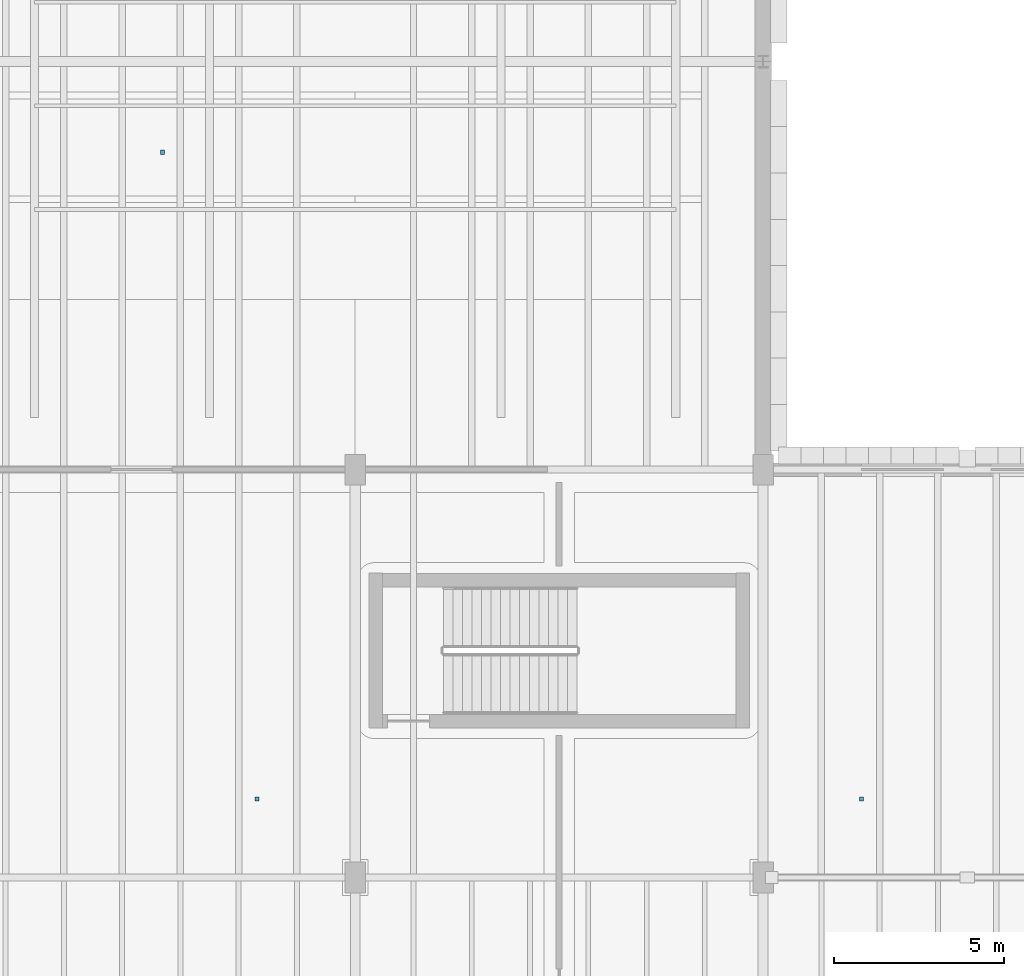
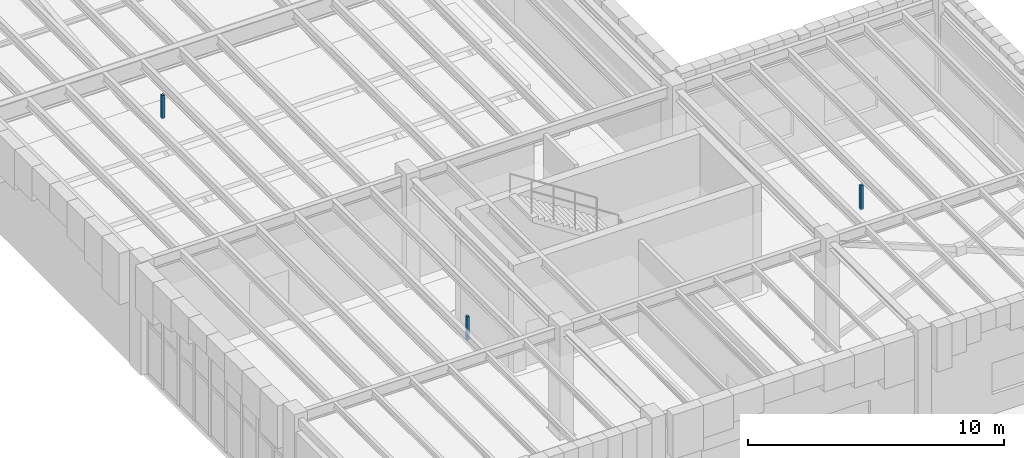
# One storey, part 60 of 103: 3 discrete accessories.
"""IFC4 building model written with IfcOpenShell, lengths in metres."""

from ifc_helpers import new_model, si_unit, direction, frame, origin, origin_2d, place, context, subcontext, project, spatial, rectangle, extrude, material, type_object, element, save


model = new_model("IFC4")

# Units and contexts
model_context = context("Model", 3, precision=1e-05, world=origin(), true_north=direction((0.0, 1.0)))
body_context = subcontext(model_context, "Body", "Model", "MODEL_VIEW")
ifc_project = project(units=[si_unit("LENGTHUNIT", "METRE"), si_unit("AREAUNIT", "SQUARE_METRE"), si_unit("VOLUMEUNIT", "CUBIC_METRE"), si_unit("PLANEANGLEUNIT", "RADIAN"), si_unit("MASSUNIT", "GRAM", prefix="KILO")], contexts=[model_context])

# Site, building, storey
site_placement = place(None, origin())
site = spatial("IfcSite", under=ifc_project, at=site_placement, CompositionType="ELEMENT")
building_placement = place(site_placement, origin())
building = spatial("IfcBuilding", under=site, at=building_placement, Name="Zlatogorsky Bluff Art Gallery", CompositionType="ELEMENT")
storey_placement = place(building_placement, origin())
storey = spatial("IfcBuildingStorey", under=building, at=storey_placement, Name="L00", CompositionType="ELEMENT", Elevation=0.0)

# Discrete accessories
ifc_material = material(Name="Steel S355", Category="steel")
discrete_accessory_type = type_object("IfcDiscreteAccessoryType", Name="Stainless Facade Fin Bracket BRK-01", PredefinedType="BRACKET", material=ifc_material)
discrete_accessory_1_placement = place(storey_placement, frame((9.110107421875, 16.7099609375, 4.05517578125), z_axis=(0.0, 0.0, 1.0), x_axis=(1.0, 0.0, 0.0)))
element("IfcDiscreteAccessory", 1, at=discrete_accessory_1_placement, inside=storey, type_object=discrete_accessory_type, Name="Acoustic ceiling suspension hanger L00-E1-11", PredefinedType="BRACKET", context=body_context, shape_type="SweptSolid", body=[
    extrude(rectangle(XDim=0.1201171875, YDim=0.1201171875, at=origin_2d()), origin(), (0.0, 0.0, 1.0), 1.110107421875),
])
discrete_accessory_2_placement = place(storey_placement, frame((26.889892578125, 16.7099609375, 4.05517578125), z_axis=(0.0, 0.0, 1.0), x_axis=(1.0, 0.0, 0.0)))
element("IfcDiscreteAccessory", 2, at=discrete_accessory_2_placement, inside=storey, type_object=discrete_accessory_type, Name="Acoustic ceiling suspension hanger L00-E1-12", PredefinedType="BRACKET", context=body_context, shape_type="SweptSolid", body=[
    extrude(rectangle(XDim=0.1201171875, YDim=0.1201171875, at=origin_2d()), origin(), (0.0, 0.0, 1.0), 1.139892578125),
])
discrete_accessory_3_placement = place(storey_placement, frame((6.3349609375, 35.735107421875, 4.05517578125), z_axis=(0.0, 0.0, 1.0), x_axis=(1.0, 0.0, 0.0)))
element("IfcDiscreteAccessory", 3, at=discrete_accessory_3_placement, inside=storey, type_object=discrete_accessory_type, Name="Acoustic ceiling suspension hanger L00-A1", PredefinedType="BRACKET", context=body_context, shape_type="SweptSolid", body=[
    extrude(rectangle(XDim=0.1201171875, YDim=0.1201171875, at=origin_2d()), origin(), (0.0, 0.0, 1.0), 1.110107421875),
])

save(model, "model.ifc")
